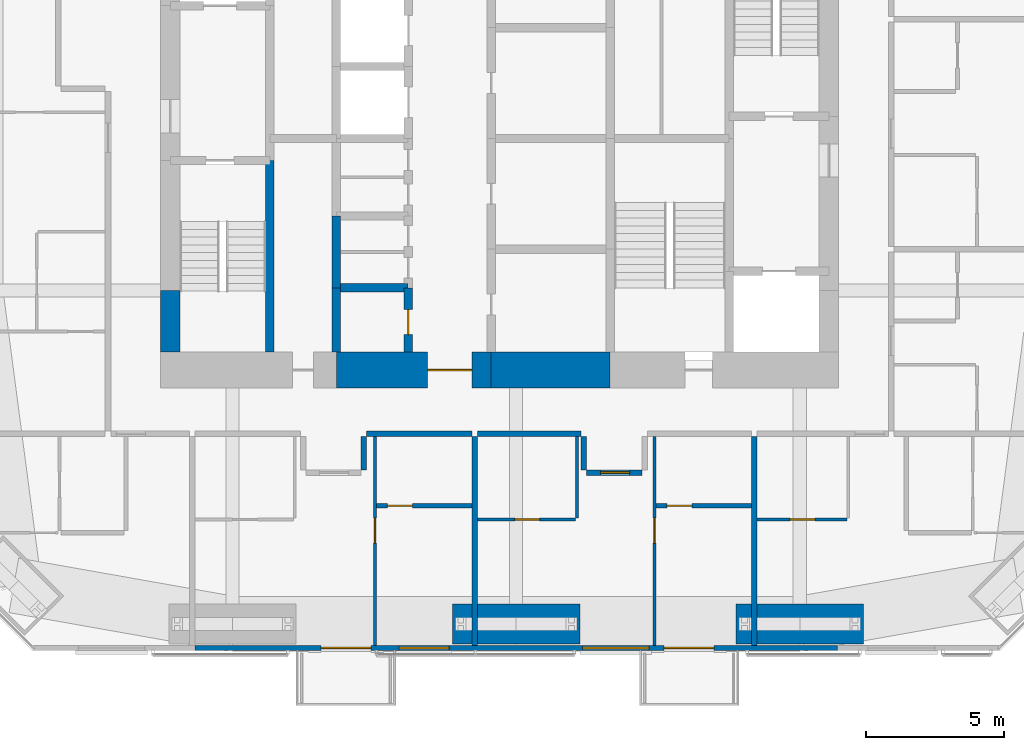
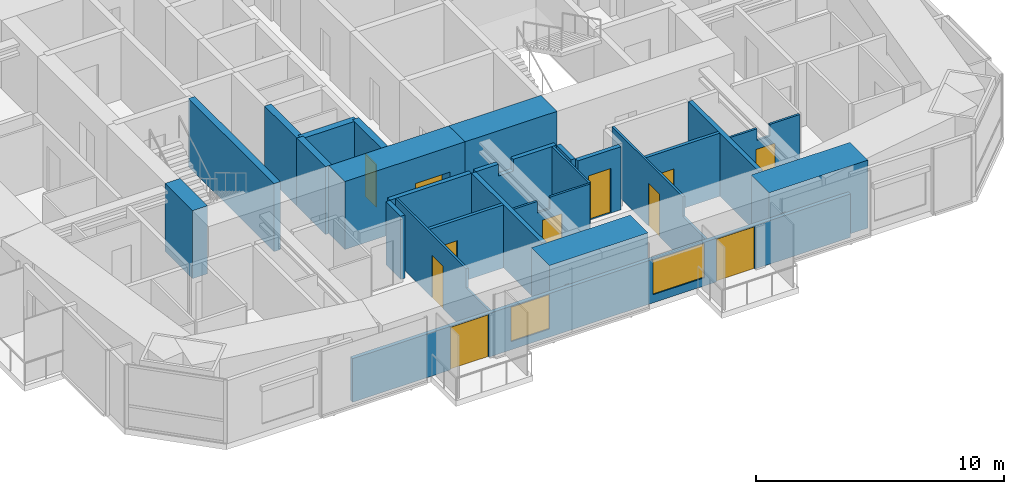
# One storey, part 16 of 22: 25 walls, 11 doors, 2 windows, 13 openings.
"""IFC4 building model written with IfcOpenShell, lengths in metres."""

from ifc_helpers import new_model, si_unit, direction, frame, frame_2d, origin, place, context, subcontext, project, spatial, polyline, rectangle, outline, extrude, material, layer, layer_set, constituent, constituent_set, type_object, element, fill, save


model = new_model("IFC4")

# Units and contexts
model_context = context("Model", 3, precision=1e-05, world=origin(), true_north=direction((0.0, 1.0)))
body_context = subcontext(model_context, "Body", "Model", "MODEL_VIEW")
ifc_project = project(units=[si_unit("LENGTHUNIT", "METRE"), si_unit("AREAUNIT", "SQUARE_METRE"), si_unit("VOLUMEUNIT", "CUBIC_METRE"), si_unit("PLANEANGLEUNIT", "RADIAN"), si_unit("MASSUNIT", "GRAM", prefix="KILO")], contexts=[model_context])

# Site, building, storey
site_placement = place(None, origin())
site = spatial("IfcSite", under=ifc_project, at=site_placement, CompositionType="ELEMENT")
building_placement = place(site_placement, origin())
building = spatial("IfcBuilding", under=site, at=building_placement, Name="Jalousie Tower", CompositionType="ELEMENT")
storey_placement = place(building_placement, frame((0.0, 0.0, 154.35009765625)))
storey = spatial("IfcBuildingStorey", under=building, at=storey_placement, Name="L41", CompositionType="ELEMENT", Elevation=154.35009765625)

# Wall, opening, door
ifc_material_1 = material(Name="Concrete block ASTM C90", Category="concrete")
ifc_constituent_1 = constituent(ifc_material_1, Name="Body")
ifc_material_2 = material(Name="Render")
ifc_constituent_2 = constituent(ifc_material_2, Name="Finish")
ifc_constituent_set_1 = constituent_set(constituents=[ifc_constituent_1, ifc_constituent_2])
wall_type_1 = type_object("IfcWallType", Name="BATHROOM WALL 150", PredefinedType="PLUMBINGWALL", material=ifc_constituent_set_1)
wall_1_placement = place(storey_placement, frame((27.449951171875, 5.22509765625, 0.0), z_axis=(0.0, 0.0, 1.0), x_axis=(1.0, 0.0, 0.0)))
wall_1 = element("IfcWall", 1, at=wall_1_placement, inside=storey, type_object=wall_type_1, Name="Bathroom Wall 150 L41", PredefinedType="PLUMBINGWALL", context=body_context, shape_type="SweptSolid", body=[
    extrude(rectangle(XDim=3.449951171875, YDim=0.14990234375, at=frame_2d((1.72509765625, 0.0))), origin(), (0.0, 0.0, 1.0), 3.10986328125),
])
opening_1_placement = place(wall_1_placement, frame((0.39990234375, 0.0, 0.0)))
opening_1 = element("IfcOpeningElement", 2, at=opening_1_placement, cuts=wall_1, Name="Opening D3", PredefinedType="OPENING", context=body_context, shape_type="SweptSolid", body=[
    extrude(rectangle(XDim=0.89990234375, YDim=2.10009765625, at=frame_2d((0.449951171875, 1.050048828125))), frame((0.0, 0.0849609375, 0.0), z_axis=(0.0, -1.0, 0.0), x_axis=(1.0, 0.0, 0.0)), (0.0, 0.0, 1.0), 0.169921875),
])
ifc_material_3 = material(Name="Timber door", Category="wood")
door_type_1 = type_object("IfcDoorType", Name="BATHROOM DOOR 900", OperationType="SINGLE_SWING_LEFT", PredefinedType="DOOR", material=ifc_material_3)
door_1_placement = place(opening_1_placement, origin())
door_1 = element("IfcDoor", 3, at=door_1_placement, inside=storey, type_object=door_type_1, Name="Apartment 4102 bedroom 1 bathroom door", OperationType="SINGLE_SWING_LEFT", OverallHeight=2.10009765625, OverallWidth=0.89990234375, PredefinedType="DOOR", context=body_context, shape_type="SweptSolid", body=[
    extrude(rectangle(XDim=0.89990234375, YDim=2.10009765625, at=frame_2d((0.449951171875, 1.050048828125))), frame((0.0, 0.02490234375, 0.0), z_axis=(0.0, -1.0, 0.0), x_axis=(1.0, 0.0, 0.0)), (0.0, 0.0, 1.0), 0.050048828125),
])
fill(opening_1, door_1)

wall_2_placement = place(storey_placement, frame((37.550048828125, 5.22509765625, 0.0), z_axis=(0.0, 0.0, 1.0), x_axis=(1.0, 0.0, 0.0)))
wall_2 = element("IfcWall", 4, at=wall_2_placement, inside=storey, type_object=wall_type_1, Name="Bathroom Wall 150 L41", PredefinedType="PLUMBINGWALL", context=body_context, shape_type="SweptSolid", body=[
    extrude(rectangle(XDim=3.449951171875, YDim=0.14990234375, at=frame_2d((1.72509765625, 0.0))), origin(), (0.0, 0.0, 1.0), 3.10986328125),
])
opening_2_placement = place(wall_2_placement, frame((0.39990234375, 0.0, 0.0)))
opening_2 = element("IfcOpeningElement", 5, at=opening_2_placement, cuts=wall_2, Name="Opening D3", PredefinedType="OPENING", context=body_context, shape_type="SweptSolid", body=[
    extrude(rectangle(XDim=0.89990234375, YDim=2.10009765625, at=frame_2d((0.449951171875, 1.050048828125))), frame((0.0, 0.0849609375, 0.0), z_axis=(0.0, -1.0, 0.0), x_axis=(1.0, 0.0, 0.0)), (0.0, 0.0, 1.0), 0.169921875),
])
door_2_placement = place(opening_2_placement, origin())
door_2 = element("IfcDoor", 6, at=door_2_placement, inside=storey, type_object=door_type_1, Name="Apartment 4103 bedroom 1 bathroom door", OperationType="SINGLE_SWING_LEFT", OverallHeight=2.10009765625, OverallWidth=0.89990234375, PredefinedType="DOOR", context=body_context, shape_type="SweptSolid", body=[
    extrude(rectangle(XDim=0.89990234375, YDim=2.10009765625, at=frame_2d((0.449951171875, 1.050048828125))), frame((0.0, 0.02490234375, 0.0), z_axis=(0.0, -1.0, 0.0), x_axis=(1.0, 0.0, 0.0)), (0.0, 0.0, 1.0), 0.050048828125),
])
fill(opening_2, door_2)

ifc_material_4 = material(Name="Concrete f'c 120 MPa", Category="concrete")
ifc_layer_1 = layer(ifc_material_4, 1.300048828125)
ifc_layer_set_1 = layer_set([ifc_layer_1], Name="Concrete f'c 120 MPa")
wall_type_2 = type_object("IfcWallType", Name="CORE WALL 1300", PredefinedType="SHEAR", material=ifc_layer_set_1)
wall_3_placement = place(storey_placement, frame((26.0, 10.125, 0.0), z_axis=(0.0, 0.0, 1.0), x_axis=(1.0, 0.0, 0.0)))
wall_3 = element("IfcWall", 7, at=wall_3_placement, inside=storey, type_object=wall_type_2, Name="Core wall SB L41", PredefinedType="SHEAR", context=body_context, shape_type="SweptSolid", body=[
    extrude(rectangle(XDim=5.60009765625, YDim=1.300048828125, at=frame_2d((2.800048828125, 0.0))), origin(), (0.0, 0.0, 1.0), 3.349853515625),
])
opening_3_placement = place(wall_3_placement, frame((3.300048828125, 0.0, 0.0)))
opening_3 = element("IfcOpeningElement", 8, at=opening_3_placement, cuts=wall_3, Name="Opening D15", PredefinedType="OPENING", context=body_context, shape_type="SweptSolid", body=[
    extrude(rectangle(XDim=1.60009765625, YDim=2.10009765625, at=frame_2d((0.800048828125, 1.050048828125))), frame((0.0, 0.659912109375, 0.0), z_axis=(0.0, -1.0, 0.0), x_axis=(1.0, 0.0, 0.0)), (0.0, 0.0, 1.0), 1.320068359375),
])
ifc_material_5 = material(Name="Steel fire door", Category="steel")
door_type_2 = type_object("IfcDoorType", Name="LIFT LOBBY DOOR 1600", OperationType="DOUBLE_DOOR_SINGLE_SWING", PredefinedType="DOOR", material=ifc_material_5)
door_3_placement = place(opening_3_placement, origin())
door_3 = element("IfcDoor", 9, at=door_3_placement, inside=storey, type_object=door_type_2, Name="Lift lobby south door", OperationType="DOUBLE_DOOR_SINGLE_SWING", OverallHeight=2.10009765625, OverallWidth=1.60009765625, PredefinedType="DOOR", context=body_context, shape_type="SweptSolid", body=[
    extrude(rectangle(XDim=1.60009765625, YDim=2.10009765625, at=frame_2d((0.800048828125, 1.050048828125))), frame((0.0, 0.02490234375, 0.0), z_axis=(0.0, -1.0, 0.0), x_axis=(1.0, 0.0, 0.0)), (0.0, 0.0, 1.0), 0.050048828125),
])
fill(opening_3, door_3)

# Walls
wall_4_placement = place(storey_placement, frame((31.60009765625, 10.125, 0.0), z_axis=(0.0, 0.0, 1.0), x_axis=(1.0, 0.0, 0.0)))
element("IfcWall", 10, at=wall_4_placement, inside=storey, type_object=wall_type_2, Name="Core wall SC L41", PredefinedType="SHEAR", context=body_context, shape_type="SweptSolid", body=[
    extrude(rectangle(XDim=4.2998046875, YDim=1.300048828125, at=frame_2d((2.14990234375, 0.0))), origin(), (0.0, 0.0, 1.0), 3.349853515625),
])
ifc_material_6 = material(Name="Concrete f'c 120 MPa", Category="concrete")
ifc_layer_2 = layer(ifc_material_6, 0.300048828125)
ifc_layer_set_2 = layer_set([ifc_layer_2], Name="Concrete f'c 120 MPa")
wall_type_3 = type_object("IfcWallType", Name="CORE WALL 300", PredefinedType="SHEAR", material=ifc_layer_set_2)
wall_5_placement = place(storey_placement, frame((23.60009765625, 10.77490234375, 0.0), z_axis=(0.0, 0.0, 1.0), x_axis=(0.0, 1.0, 0.0)))
element("IfcWall", 11, at=wall_5_placement, inside=storey, type_object=wall_type_3, Name="Core wall X23.6A L41", PredefinedType="SHEAR", context=body_context, shape_type="SweptSolid", body=[
    extrude(rectangle(XDim=6.925048828125, YDim=0.300048828125, at=frame_2d((3.46240234375, 0.0))), origin(), (0.0, 0.0, 1.0), 3.349853515625),
])
wall_6_placement = place(storey_placement, frame((26.0, 10.77490234375, 0.0), z_axis=(0.0, 0.0, 1.0), x_axis=(0.0, 1.0, 0.0)))
element("IfcWall", 12, at=wall_6_placement, inside=storey, type_object=wall_type_3, Name="Core wall X26A L41", PredefinedType="SHEAR", context=body_context, shape_type="SweptSolid", body=[
    extrude(rectangle(XDim=2.3251953125, YDim=0.300048828125, at=frame_2d((1.16259765625, 0.0))), origin(), (0.0, 0.0, 1.0), 3.349853515625),
])
wall_7_placement = place(storey_placement, frame((26.0, 13.10009765625, 0.0), z_axis=(0.0, 0.0, 1.0), x_axis=(0.0, 1.0, 0.0)))
element("IfcWall", 13, at=wall_7_placement, inside=storey, type_object=wall_type_3, Name="Core wall X26B L41", PredefinedType="SHEAR", context=body_context, shape_type="SweptSolid", body=[
    extrude(rectangle(XDim=2.599853515625, YDim=0.300048828125, at=frame_2d((1.2998046875, 0.0))), origin(), (0.0, 0.0, 1.0), 3.349853515625),
])

# Wall, opening, door
wall_8_placement = place(storey_placement, frame((28.60009765625, 10.77490234375, 0.0), z_axis=(0.0, 0.0, 1.0), x_axis=(0.0, 1.0, 0.0)))
wall_8 = element("IfcWall", 14, at=wall_8_placement, inside=storey, type_object=wall_type_3, Name="Core wall X28.6A L41", PredefinedType="SHEAR", context=body_context, shape_type="SweptSolid", body=[
    extrude(rectangle(XDim=2.3251953125, YDim=0.300048828125, at=frame_2d((1.16259765625, 0.0))), origin(), (0.0, 0.0, 1.0), 3.349853515625),
])
opening_4_placement = place(wall_8_placement, frame((0.637451171875, 0.0, 0.0)))
opening_4 = element("IfcOpeningElement", 15, at=opening_4_placement, cuts=wall_8, Name="Opening D24", PredefinedType="OPENING", context=body_context, shape_type="SweptSolid", body=[
    extrude(rectangle(XDim=0.89990234375, YDim=2.10009765625, at=frame_2d((0.449951171875, 1.050048828125))), frame((0.0, 0.159912109375, 0.0), z_axis=(0.0, -1.0, 0.0), x_axis=(1.0, 0.0, 0.0)), (0.0, 0.0, 1.0), 0.320068359375),
])
ifc_material_7 = material(Name="Steel fire door", Category="steel")
door_type_3 = type_object("IfcDoorType", Name="CORE ROOM DOOR 900", OperationType="SINGLE_SWING_LEFT", PredefinedType="DOOR", material=ifc_material_7)
door_4_placement = place(opening_4_placement, origin())
door_4 = element("IfcDoor", 16, at=door_4_placement, inside=storey, type_object=door_type_3, Name="Pantry door", OperationType="SINGLE_SWING_RIGHT", OverallHeight=2.10009765625, OverallWidth=0.89990234375, PredefinedType="DOOR", context=body_context, shape_type="SweptSolid", body=[
    extrude(rectangle(XDim=0.89990234375, YDim=2.10009765625, at=frame_2d((0.449951171875, 1.050048828125))), frame((0.0, 0.02490234375, 0.0), z_axis=(0.0, -1.0, 0.0), x_axis=(1.0, 0.0, 0.0)), (0.0, 0.0, 1.0), 0.050048828125),
])
fill(opening_4, door_4)

# Walls
wall_9_placement = place(storey_placement, frame((26.0, 13.10009765625, 0.0), z_axis=(0.0, 0.0, 1.0), x_axis=(1.0, 0.0, 0.0)))
element("IfcWall", 17, at=wall_9_placement, inside=storey, type_object=wall_type_3, Name="Core wall Y26-13.1 L41", PredefinedType="SHEAR", context=body_context, shape_type="SweptSolid", body=[
    extrude(rectangle(XDim=2.60009765625, YDim=0.300048828125, at=frame_2d((1.300048828125, 0.0))), origin(), (0.0, 0.0, 1.0), 3.349853515625),
])
ifc_material_8 = material(Name="Concrete f'c 120 MPa", Category="concrete")
ifc_layer_3 = layer(ifc_material_8, 0.699951171875)
ifc_layer_set_3 = layer_set([ifc_layer_3], Name="Concrete f'c 120 MPa")
wall_type_4 = type_object("IfcWallType", Name="CORE WALL 700", PredefinedType="SHEAR", material=ifc_layer_set_3)
wall_10_placement = place(storey_placement, frame((20.0, 13.0, 0.0), z_axis=(0.0, 0.0, 1.0), x_axis=(0.0, -1.0, 0.0)))
element("IfcWall", 18, at=wall_10_placement, inside=storey, type_object=wall_type_4, Name="Core wall WD L41", PredefinedType="SHEAR", context=body_context, shape_type="SweptSolid", body=[
    extrude(rectangle(XDim=2.22509765625, YDim=0.699951171875, at=frame_2d((1.112548828125, 0.0))), origin(), (0.0, 0.0, 1.0), 3.349853515625),
])
ifc_material_9 = material(Name="Concrete block ASTM C90", Category="concrete")
ifc_constituent_3 = constituent(ifc_material_9, Name="Body")
ifc_material_10 = material(Name="Render")
ifc_constituent_4 = constituent(ifc_material_10, Name="Finish")
ifc_constituent_set_2 = constituent_set(constituents=[ifc_constituent_3, ifc_constituent_4])
wall_type_5 = type_object("IfcWallType", Name="CORRIDOR WALL 200", PredefinedType="PARTITIONING", material=ifc_constituent_set_2)
wall_11_placement = place(storey_placement, frame((31.10009765625, 7.824951171875, 0.0), z_axis=(0.0, 0.0, 1.0), x_axis=(1.0, 0.0, 0.0)))
element("IfcWall", 19, at=wall_11_placement, inside=storey, type_object=wall_type_5, Name="Corridor Wall 200 L41", PredefinedType="PARTITIONING", context=body_context, shape_type="SweptSolid", body=[
    extrude(outline(polyline([(0.0, 0.0), (3.75, 0.0), (3.75, 3.10986328125), (1.74609375, 3.10986328125), (1.74609375, 2.531005859375), (1.0537109375, 2.531005859375), (1.0537109375, 3.10986328125), (0.0, 3.10986328125), (0.0, 0.0)])), frame((0.0, 0.10009765625, 0.0), z_axis=(0.0, -1.0, 0.0), x_axis=(1.0, 0.0, 0.0)), (0.0, 0.0, 1.0), 0.199951171875),
])
wall_12_placement = place(storey_placement, frame((27.10009765625, 7.824951171875, 0.0), z_axis=(0.0, 0.0, 1.0), x_axis=(1.0, 0.0, 0.0)))
element("IfcWall", 20, at=wall_12_placement, inside=storey, type_object=wall_type_5, Name="Corridor Wall 200 L41", PredefinedType="PARTITIONING", context=body_context, shape_type="SweptSolid", body=[
    extrude(rectangle(XDim=3.7998046875, YDim=0.199951171875, at=frame_2d((1.89990234375, 0.0))), origin(), (0.0, 0.0, 1.0), 3.10986328125),
])
wall_13_placement = place(storey_placement, frame((27.0, 7.72509765625, 0.0), z_axis=(0.0, 0.0, 1.0), x_axis=(0.0, -1.0, 0.0)))
element("IfcWall", 21, at=wall_13_placement, inside=storey, type_object=wall_type_5, Name="Corridor Wall 200 L41", PredefinedType="PARTITIONING", context=body_context, shape_type="SweptSolid", body=[
    extrude(rectangle(XDim=1.2001953125, YDim=0.199951171875, at=frame_2d((0.60009765625, 0.0))), origin(), (0.0, 0.0, 1.0), 3.10986328125),
])

# Wall, opening, door
wall_14_placement = place(storey_placement, frame((35.050048828125, 6.425048828125, 0.0), z_axis=(0.0, 0.0, 1.0), x_axis=(1.0, 0.0, 0.0)))
wall_14 = element("IfcWall", 22, at=wall_14_placement, inside=storey, type_object=wall_type_5, Name="Corridor Wall 200 L41", PredefinedType="PARTITIONING", context=body_context, shape_type="SweptSolid", body=[
    extrude(rectangle(XDim=2.0, YDim=0.199951171875, at=frame_2d((1.0, 0.0))), origin(), (0.0, 0.0, 1.0), 3.10986328125),
])
opening_5_placement = place(wall_14_placement, frame((0.5, 0.0, 0.0)))
opening_5 = element("IfcOpeningElement", 23, at=opening_5_placement, cuts=wall_14, Name="Opening D1", PredefinedType="OPENING", context=body_context, shape_type="SweptSolid", body=[
    extrude(rectangle(XDim=1.050048828125, YDim=2.199951171875, at=frame_2d((0.52490234375, 1.10009765625))), frame((0.0, 0.10986328125, 0.0), z_axis=(0.0, -1.0, 0.0), x_axis=(1.0, 0.0, 0.0)), (0.0, 0.0, 1.0), 0.219970703125),
])
ifc_material_11 = material(Name="Timber fire door", Category="wood")
door_type_4 = type_object("IfcDoorType", Name="APARTMENT ENTRANCE DOOR 1050", OperationType="SINGLE_SWING_LEFT", PredefinedType="DOOR", material=ifc_material_11)
door_5_placement = place(opening_5_placement, frame((1.050048828125, 0.0, 0.0), z_axis=(0.0, 0.0, 1.0), x_axis=(-1.0, 0.0, 0.0)))
door_5 = element("IfcDoor", 24, at=door_5_placement, inside=storey, type_object=door_type_4, Name="Apartment 4103 entrance", OperationType="SINGLE_SWING_RIGHT", OverallHeight=2.199951171875, OverallWidth=1.050048828125, PredefinedType="DOOR", context=body_context, shape_type="SweptSolid", body=[
    extrude(rectangle(XDim=1.050048828125, YDim=2.199951171875, at=frame_2d((0.52490234375, 1.10009765625))), frame((0.0, 0.02490234375, 0.0), z_axis=(0.0, -1.0, 0.0), x_axis=(1.0, 0.0, 0.0)), (0.0, 0.0, 1.0), 0.050048828125),
])
fill(opening_5, door_5)

# Wall
wall_15_placement = place(storey_placement, frame((34.949951171875, 7.72509765625, 0.0), z_axis=(0.0, 0.0, 1.0), x_axis=(0.0, -1.0, 0.0)))
element("IfcWall", 25, at=wall_15_placement, inside=storey, type_object=wall_type_5, Name="Corridor Wall 200 L41", PredefinedType="PARTITIONING", context=body_context, shape_type="SweptSolid", body=[
    extrude(rectangle(XDim=1.2001953125, YDim=0.199951171875, at=frame_2d((0.60009765625, 0.0))), origin(), (0.0, 0.0, 1.0), 3.10986328125),
])

# Wall, openings, doors, windows
ifc_material_12 = material(Name="Concrete f'c 40 MPa", Category="concrete")
ifc_constituent_5 = constituent(ifc_material_12, Name="Body")
ifc_material_13 = material(Name="Render, pastel lemon")
ifc_constituent_6 = constituent(ifc_material_13, Name="Finish")
ifc_constituent_set_3 = constituent_set(constituents=[ifc_constituent_5, ifc_constituent_6])
wall_type_6 = type_object("IfcWallType", Name="EXTERNAL WALL 175 LEMON RENDER", PredefinedType="SOLIDWALL", material=ifc_constituent_set_3)
wall_16_placement = place(storey_placement, frame((20.890869140625, 0.08740234375, 0.0), z_axis=(0.0, 0.0, 1.0), x_axis=(1.0, 0.0, 0.0)))
wall_16 = element("IfcWall", 26, at=wall_16_placement, inside=storey, type_object=wall_type_6, Name="External Wall 175 Lemon Render L41-B", PredefinedType="SOLIDWALL", context=body_context, shape_type="SweptSolid", body=[
    extrude(rectangle(XDim=23.21826171875, YDim=0.175048828125, at=frame_2d((11.609130859375, 0.0))), origin(), (0.0, 0.0, 1.0), 2.14990234375),
])
opening_6_placement = place(wall_16_placement, frame((4.55908203125, 0.0, 0.0)))
opening_6 = element("IfcOpeningElement", 27, at=opening_6_placement, cuts=wall_16, Name="Opening D-BAL21", PredefinedType="OPENING", context=body_context, shape_type="SweptSolid", body=[
    extrude(rectangle(XDim=1.800048828125, YDim=2.10009765625, at=frame_2d((0.89990234375, 1.050048828125))), frame((0.0, 0.097412109375, 0.0), z_axis=(0.0, -1.0, 0.0), x_axis=(1.0, 0.0, 0.0)), (0.0, 0.0, 1.0), 0.195068359375),
])
opening_7_placement = place(wall_16_placement, frame((7.384033203125, 0.0, 0.39990234375)))
opening_7 = element("IfcOpeningElement", 28, at=opening_7_placement, cuts=wall_16, Name="Opening W-BED170", PredefinedType="OPENING", context=body_context, shape_type="SweptSolid", body=[
    extrude(rectangle(XDim=1.800048828125, YDim=1.699951171875, at=frame_2d((0.89990234375, 0.85009765625))), frame((0.0, 0.097412109375, 0.0), z_axis=(0.0, -1.0, 0.0), x_axis=(1.0, 0.0, 0.0)), (0.0, 0.0, 1.0), 0.195068359375),
])
opening_8_placement = place(wall_16_placement, frame((14.009033203125, 0.0, 0.39990234375)))
opening_8 = element("IfcOpeningElement", 29, at=opening_8_placement, cuts=wall_16, Name="Opening W-LIV170", PredefinedType="OPENING", context=body_context, shape_type="SweptSolid", body=[
    extrude(rectangle(XDim=2.39990234375, YDim=1.699951171875, at=frame_2d((1.199951171875, 0.85009765625))), frame((0.0, 0.097412109375, 0.0), z_axis=(0.0, -1.0, 0.0), x_axis=(1.0, 0.0, 0.0)), (0.0, 0.0, 1.0), 0.195068359375),
])
opening_9_placement = place(wall_16_placement, frame((16.958984375, 0.0, 0.0)))
opening_9 = element("IfcOpeningElement", 30, at=opening_9_placement, cuts=wall_16, Name="Opening D-BAL21", PredefinedType="OPENING", context=body_context, shape_type="SweptSolid", body=[
    extrude(rectangle(XDim=1.800048828125, YDim=2.10009765625, at=frame_2d((0.89990234375, 1.050048828125))), frame((0.0, 0.097412109375, 0.0), z_axis=(0.0, -1.0, 0.0), x_axis=(1.0, 0.0, 0.0)), (0.0, 0.0, 1.0), 0.195068359375),
])
ifc_material_14 = material(Name="Aluminium frame, impact-rated glazing", Category="aluminium")
door_type_5 = type_object("IfcDoorType", Name="BALCONY DOOR 1800x2100", OperationType="SLIDING_TO_LEFT", PredefinedType="DOOR", material=ifc_material_14)
door_6_placement = place(opening_6_placement, origin())
door_6 = element("IfcDoor", 31, at=door_6_placement, inside=storey, type_object=door_type_5, Name="Apartment 4102 living and dining room balcony door", OperationType="SLIDING_TO_LEFT", OverallHeight=2.10009765625, OverallWidth=1.800048828125, PredefinedType="DOOR", context=body_context, shape_type="SweptSolid", body=[
    extrude(rectangle(XDim=1.800048828125, YDim=2.10009765625, at=frame_2d((0.89990234375, 1.050048828125))), frame((0.0, 0.02490234375, 0.0), z_axis=(0.0, -1.0, 0.0), x_axis=(1.0, 0.0, 0.0)), (0.0, 0.0, 1.0), 0.050048828125),
])
fill(opening_6, door_6)
door_7_placement = place(opening_9_placement, origin())
door_7 = element("IfcDoor", 32, at=door_7_placement, inside=storey, type_object=door_type_5, Name="Apartment 4103 bedroom 1 balcony door", OperationType="SLIDING_TO_LEFT", OverallHeight=2.10009765625, OverallWidth=1.800048828125, PredefinedType="DOOR", context=body_context, shape_type="SweptSolid", body=[
    extrude(rectangle(XDim=1.800048828125, YDim=2.10009765625, at=frame_2d((0.89990234375, 1.050048828125))), frame((0.0, 0.02490234375, 0.0), z_axis=(0.0, -1.0, 0.0), x_axis=(1.0, 0.0, 0.0)), (0.0, 0.0, 1.0), 0.050048828125),
])
fill(opening_9, door_7)
ifc_material_15 = material(Name="Aluminium frame, impact-rated glazing", Category="aluminium")
window_type_1 = type_object("IfcWindowType", Name="WINDOW BED 1800x1700", PartitioningType="SINGLE_PANEL", PredefinedType="WINDOW", material=ifc_material_15)
window_1_placement = place(opening_7_placement, origin())
window_1 = element("IfcWindow", 33, at=window_1_placement, inside=storey, type_object=window_type_1, Name="Apartment 4102 bedroom 1 window", OverallHeight=1.699951171875, OverallWidth=1.800048828125, PartitioningType="SINGLE_PANEL", PredefinedType="WINDOW", context=body_context, shape_type="SweptSolid", body=[
    extrude(rectangle(XDim=1.800048828125, YDim=1.699951171875, at=frame_2d((0.89990234375, 0.85009765625))), frame((0.0, 0.030029296875, 0.0), z_axis=(0.0, -1.0, 0.0), x_axis=(1.0, 0.0, 0.0)), (0.0, 0.0, 1.0), 0.06005859375),
])
fill(opening_7, window_1)
ifc_material_16 = material(Name="Aluminium frame, impact-rated glazing", Category="aluminium")
window_type_2 = type_object("IfcWindowType", Name="WINDOW LIV 2400x1700", PartitioningType="DOUBLE_PANEL_VERTICAL", PredefinedType="WINDOW", material=ifc_material_16)
window_2_placement = place(opening_8_placement, origin())
window_2 = element("IfcWindow", 34, at=window_2_placement, inside=storey, type_object=window_type_2, Name="Apartment 4103 living and dining room window", OverallHeight=1.699951171875, OverallWidth=2.39990234375, PartitioningType="SINGLE_PANEL", PredefinedType="WINDOW", context=body_context, shape_type="SweptSolid", body=[
    extrude(rectangle(XDim=2.39990234375, YDim=1.699951171875, at=frame_2d((1.199951171875, 0.85009765625))), frame((0.0, 0.030029296875, 0.0), z_axis=(0.0, -1.0, 0.0), x_axis=(1.0, 0.0, 0.0)), (0.0, 0.0, 1.0), 0.06005859375),
])
fill(opening_8, window_2)

# Wall, opening, door
ifc_material_17 = material(Name="Gypsum board", Category="gypsum")
ifc_constituent_7 = constituent(ifc_material_17, Name="Body")
ifc_material_18 = material(Name="Light-gauge steel studs ASTM A653 SS Grade 33", Category="steel")
ifc_constituent_8 = constituent(ifc_material_18, Name="Framing")
ifc_constituent_set_4 = constituent_set(constituents=[ifc_constituent_7, ifc_constituent_8])
wall_type_7 = type_object("IfcWallType", Name="PARTITION 100", PredefinedType="PARTITIONING", material=ifc_constituent_set_4)
wall_17_placement = place(storey_placement, frame((27.39990234375, 0.175048828125, 0.0), z_axis=(0.0, 0.0, 1.0), x_axis=(0.0, 1.0, 0.0)))
wall_17 = element("IfcWall", 35, at=wall_17_placement, inside=storey, type_object=wall_type_7, Name="Partition 100 L41", PredefinedType="PARTITIONING", context=body_context, shape_type="SweptSolid", body=[
    extrude(outline(polyline([(0.0, 0.0), (7.550048828125, 0.0), (7.550048828125, 3.10986328125), (1.8349609375, 3.10986328125), (1.8349609375, 2.14990234375), (0.0, 2.14990234375), (0.0, 3.10986328125), (0.0, 0.0)])), frame((0.0, 0.050048828125, 0.0), z_axis=(0.0, -1.0, 0.0), x_axis=(1.0, 0.0, 0.0)), (0.0, 0.0, 1.0), 0.10009765625),
])
opening_10_placement = place(wall_17_placement, frame((3.699951171875, 0.0, 0.0)))
opening_10 = element("IfcOpeningElement", 36, at=opening_10_placement, cuts=wall_17, Name="Opening D2", PredefinedType="OPENING", context=body_context, shape_type="SweptSolid", body=[
    extrude(rectangle(XDim=0.89990234375, YDim=2.10009765625, at=frame_2d((0.449951171875, 1.050048828125))), frame((0.0, 0.06005859375, 0.0), z_axis=(0.0, -1.0, 0.0), x_axis=(1.0, 0.0, 0.0)), (0.0, 0.0, 1.0), 0.1201171875),
])
ifc_material_19 = material(Name="Timber door", Category="wood")
door_type_6 = type_object("IfcDoorType", Name="BEDROOM DOOR 900", OperationType="SINGLE_SWING_LEFT", PredefinedType="DOOR", material=ifc_material_19)
door_8_placement = place(opening_10_placement, frame((0.89990234375, 0.0, 0.0), z_axis=(0.0, 0.0, 1.0), x_axis=(-1.0, 0.0, 0.0)))
door_8 = element("IfcDoor", 37, at=door_8_placement, inside=storey, type_object=door_type_6, Name="Apartment 4102 bedroom 1 door", OperationType="SINGLE_SWING_LEFT", OverallHeight=2.10009765625, OverallWidth=0.89990234375, PredefinedType="DOOR", context=body_context, shape_type="SweptSolid", body=[
    extrude(rectangle(XDim=0.89990234375, YDim=2.10009765625, at=frame_2d((0.449951171875, 1.050048828125))), frame((0.0, 0.02490234375, 0.0), z_axis=(0.0, -1.0, 0.0), x_axis=(1.0, 0.0, 0.0)), (0.0, 0.0, 1.0), 0.050048828125),
])
fill(opening_10, door_8)

wall_18_placement = place(storey_placement, frame((37.5, 0.175048828125, 0.0), z_axis=(0.0, 0.0, 1.0), x_axis=(0.0, 1.0, 0.0)))
wall_18 = element("IfcWall", 38, at=wall_18_placement, inside=storey, type_object=wall_type_7, Name="Partition 100 L41", PredefinedType="PARTITIONING", context=body_context, shape_type="SweptSolid", body=[
    extrude(outline(polyline([(0.0, 0.0), (7.550048828125, 0.0), (7.550048828125, 3.10986328125), (1.8349609375, 3.10986328125), (1.8349609375, 2.14990234375), (0.0, 2.14990234375), (0.0, 3.10986328125), (0.0, 0.0)])), frame((0.0, 0.050048828125, 0.0), z_axis=(0.0, -1.0, 0.0), x_axis=(1.0, 0.0, 0.0)), (0.0, 0.0, 1.0), 0.10009765625),
])
opening_11_placement = place(wall_18_placement, frame((3.699951171875, 0.0, 0.0)))
opening_11 = element("IfcOpeningElement", 39, at=opening_11_placement, cuts=wall_18, Name="Opening D2", PredefinedType="OPENING", context=body_context, shape_type="SweptSolid", body=[
    extrude(rectangle(XDim=0.89990234375, YDim=2.10009765625, at=frame_2d((0.449951171875, 1.050048828125))), frame((0.0, 0.06005859375, 0.0), z_axis=(0.0, -1.0, 0.0), x_axis=(1.0, 0.0, 0.0)), (0.0, 0.0, 1.0), 0.1201171875),
])
door_9_placement = place(opening_11_placement, frame((0.89990234375, 0.0, 0.0), z_axis=(0.0, 0.0, 1.0), x_axis=(-1.0, 0.0, 0.0)))
door_9 = element("IfcDoor", 40, at=door_9_placement, inside=storey, type_object=door_type_6, Name="Apartment 4103 bedroom 1 door", OperationType="SINGLE_SWING_LEFT", OverallHeight=2.10009765625, OverallWidth=0.89990234375, PredefinedType="DOOR", context=body_context, shape_type="SweptSolid", body=[
    extrude(rectangle(XDim=0.89990234375, YDim=2.10009765625, at=frame_2d((0.449951171875, 1.050048828125))), frame((0.0, 0.02490234375, 0.0), z_axis=(0.0, -1.0, 0.0), x_axis=(1.0, 0.0, 0.0)), (0.0, 0.0, 1.0), 0.050048828125),
])
fill(opening_11, door_9)

wall_19_placement = place(storey_placement, frame((31.10009765625, 4.72509765625, 0.0), z_axis=(0.0, 0.0, 1.0), x_axis=(1.0, 0.0, 0.0)))
wall_19 = element("IfcWall", 41, at=wall_19_placement, inside=storey, type_object=wall_type_7, Name="Partition 100 L41", PredefinedType="PARTITIONING", context=body_context, shape_type="SweptSolid", body=[
    extrude(outline(polyline([(0.0, 0.0), (3.5498046875, 0.0), (3.550048828125, 3.10986328125), (1.6962890625, 3.10986328125), (1.6962890625, 2.531005859375), (1.103759765625, 2.531005859375), (1.103759765625, 3.10986328125), (0.0, 3.10986328125), (0.0, 0.0)])), frame((0.0, 0.050048828125, 0.0), z_axis=(0.0, -1.0, 0.0), x_axis=(1.0, 0.0, 0.0)), (0.0, 0.0, 1.0), 0.10009765625),
])
opening_12_placement = place(wall_19_placement, frame((1.35009765625, 0.0, 0.0)))
opening_12 = element("IfcOpeningElement", 42, at=opening_12_placement, cuts=wall_19, Name="Opening D7", PredefinedType="OPENING", context=body_context, shape_type="SweptSolid", body=[
    extrude(rectangle(XDim=0.89990234375, YDim=2.10009765625, at=frame_2d((0.449951171875, 1.050048828125))), frame((0.0, 0.06005859375, 0.0), z_axis=(0.0, -1.0, 0.0), x_axis=(1.0, 0.0, 0.0)), (0.0, 0.0, 1.0), 0.1201171875),
])
ifc_material_20 = material(Name="Timber door", Category="wood")
door_type_7 = type_object("IfcDoorType", Name="INTERNAL DOOR 900", OperationType="SINGLE_SWING_LEFT", PredefinedType="DOOR", material=ifc_material_20)
door_10_placement = place(opening_12_placement, frame((0.89990234375, 0.0, 0.0), z_axis=(0.0, 0.0, 1.0), x_axis=(-1.0, 0.0, 0.0)))
door_10 = element("IfcDoor", 43, at=door_10_placement, inside=storey, type_object=door_type_7, Name="Apartment 4103 kitchen door", OperationType="SINGLE_SWING_RIGHT", OverallHeight=2.10009765625, OverallWidth=0.89990234375, PredefinedType="DOOR", context=body_context, shape_type="SweptSolid", body=[
    extrude(rectangle(XDim=0.89990234375, YDim=2.10009765625, at=frame_2d((0.449951171875, 1.050048828125))), frame((0.0, 0.02490234375, 0.0), z_axis=(0.0, -1.0, 0.0), x_axis=(1.0, 0.0, 0.0)), (0.0, 0.0, 1.0), 0.050048828125),
])
fill(opening_12, door_10)

# Wall
wall_20_placement = place(storey_placement, frame((34.699951171875, 4.77490234375, 0.0), z_axis=(0.0, 0.0, 1.0), x_axis=(0.0, 1.0, 0.0)))
element("IfcWall", 44, at=wall_20_placement, inside=storey, type_object=wall_type_7, Name="Partition 100 L41", PredefinedType="PARTITIONING", context=body_context, shape_type="SweptSolid", body=[
    extrude(rectangle(XDim=2.9501953125, YDim=0.10009765625, at=frame_2d((1.47509765625, 0.0))), origin(), (0.0, 0.0, 1.0), 3.10986328125),
])

# Wall, opening, door
wall_21_placement = place(storey_placement, frame((41.199951171875, 4.72509765625, 0.0), z_axis=(0.0, 0.0, 1.0), x_axis=(1.0, 0.0, 0.0)))
wall_21 = element("IfcWall", 45, at=wall_21_placement, inside=storey, type_object=wall_type_7, Name="Partition 100 L41", PredefinedType="PARTITIONING", context=body_context, shape_type="SweptSolid", body=[
    extrude(outline(polyline([(0.0, 0.0), (3.25, 0.0), (3.25, 3.10986328125), (1.84619140625, 3.10986328125), (1.84619140625, 2.531005859375), (1.25390625, 2.531005859375), (1.25390625, 3.10986328125), (0.0, 3.10986328125), (0.0, 0.0)])), frame((0.0, 0.050048828125, 0.0), z_axis=(0.0, -1.0, 0.0), x_axis=(1.0, 0.0, 0.0)), (0.0, 0.0, 1.0), 0.10009765625),
])
opening_13_placement = place(wall_21_placement, frame((1.199951171875, 0.0, 0.0)))
opening_13 = element("IfcOpeningElement", 46, at=opening_13_placement, cuts=wall_21, Name="Opening D7", PredefinedType="OPENING", context=body_context, shape_type="SweptSolid", body=[
    extrude(rectangle(XDim=0.89990234375, YDim=2.10009765625, at=frame_2d((0.449951171875, 1.050048828125))), frame((0.0, 0.06005859375, 0.0), z_axis=(0.0, -1.0, 0.0), x_axis=(1.0, 0.0, 0.0)), (0.0, 0.0, 1.0), 0.1201171875),
])
door_11_placement = place(opening_13_placement, frame((0.89990234375, 0.0, 0.0), z_axis=(0.0, 0.0, 1.0), x_axis=(-1.0, 0.0, 0.0)))
door_11 = element("IfcDoor", 47, at=door_11_placement, inside=storey, type_object=door_type_7, Name="Apartment 4104 kitchen door", OperationType="SINGLE_SWING_RIGHT", OverallHeight=2.10009765625, OverallWidth=0.89990234375, PredefinedType="DOOR", context=body_context, shape_type="SweptSolid", body=[
    extrude(rectangle(XDim=0.89990234375, YDim=2.10009765625, at=frame_2d((0.449951171875, 1.050048828125))), frame((0.0, 0.02490234375, 0.0), z_axis=(0.0, -1.0, 0.0), x_axis=(1.0, 0.0, 0.0)), (0.0, 0.0, 1.0), 0.050048828125),
])
fill(opening_13, door_11)

# Walls
ifc_material_21 = material(Name="Concrete block ASTM C90", Category="concrete")
ifc_constituent_9 = constituent(ifc_material_21, Name="Body")
ifc_material_22 = material(Name="Render")
ifc_constituent_10 = constituent(ifc_material_22, Name="Finish")
ifc_constituent_set_5 = constituent_set(constituents=[ifc_constituent_9, ifc_constituent_10])
wall_type_8 = type_object("IfcWallType", Name="PARTY WALL 200", PredefinedType="PARTITIONING", material=ifc_constituent_set_5)
wall_22_placement = place(storey_placement, frame((31.0, 0.175048828125, 0.0), z_axis=(0.0, 0.0, 1.0), x_axis=(0.0, 1.0, 0.0)))
element("IfcWall", 48, at=wall_22_placement, inside=storey, type_object=wall_type_8, Name="Party Wall 200 L41", PredefinedType="PARTITIONING", context=body_context, shape_type="SweptSolid", body=[
    extrude(outline(polyline([(0.52880859375, 2.14990234375), (0.0, 2.14990234375), (0.0, 0.0), (0.52880859375, 0.0), (0.52880859375, 0.169677734375), (1.021240234375, 0.169677734375), (1.021240234375, 0.0), (7.550048828125, 0.0), (7.550048828125, 3.10986328125), (1.885009765625, 3.10986328125), (1.885009765625, 2.14990234375), (1.021240234375, 2.14990234375), (1.021240234375, 1.830322265625), (0.52880859375, 1.830322265625), (0.52880859375, 2.14990234375)])), frame((0.0, 0.10009765625, 0.0), z_axis=(0.0, -1.0, 0.0), x_axis=(1.0, 0.0, 0.0)), (0.0, 0.0, 1.0), 0.199951171875),
])
wall_23_placement = place(storey_placement, frame((41.10009765625, 0.175048828125, 0.0), z_axis=(0.0, 0.0, 1.0), x_axis=(0.0, 1.0, 0.0)))
element("IfcWall", 49, at=wall_23_placement, inside=storey, type_object=wall_type_8, Name="Party Wall 200 L41", PredefinedType="PARTITIONING", context=body_context, shape_type="SweptSolid", body=[
    extrude(outline(polyline([(0.52880859375, 2.14990234375), (0.0, 2.14990234375), (0.0, 0.0), (0.52880859375, 0.0), (0.52880859375, 0.038330078125), (1.021240234375, 0.038330078125), (1.021240234375, 0.0), (7.550048828125, 0.0), (7.550048828125, 3.10986328125), (1.885009765625, 3.10986328125), (1.885009765625, 2.14990234375), (1.021240234375, 2.14990234375), (1.021240234375, 1.96142578125), (0.52880859375, 1.96142578125), (0.52880859375, 2.14990234375)])), frame((0.0, 0.10009765625, 0.0), z_axis=(0.0, -1.0, 0.0), x_axis=(1.0, 0.0, 0.0)), (0.0, 0.0, 1.0), 0.199951171875),
])
ifc_material_23 = material(Name="Concrete f'c 120 MPa", Category="concrete")
ifc_layer_4 = layer(ifc_material_23, 1.449951171875)
ifc_layer_set_4 = layer_set([ifc_layer_4], Name="Concrete f'c 120 MPa")
wall_type_9 = type_object("IfcWallType", Name="RC WALL PIER 1450", PredefinedType="SHEAR", material=ifc_layer_set_4)
for number, where, z_axis, x_axis, name in (
    (50, (30.199951171875, 0.949951171875, 0.0), (0.0, 0.0, 1.0), (1.0, 0.0, 0.0), "Wall pier 03 L41"),
    (51, (40.449951171875, 0.949951171875, 0.0), (0.0, 0.0, 1.0), (1.0, 0.0, 0.0), "Wall pier 04 L41"),
):
    element("IfcWall", number, at=place(storey_placement, frame(where, z_axis=z_axis, x_axis=x_axis)), inside=storey, type_object=wall_type_9, Name=name, PredefinedType="SHEAR", context=body_context, shape_type="SweptSolid", body=[
        extrude(rectangle(XDim=4.60009765625, YDim=1.449951171875, at=frame_2d((2.300048828125, 0.0))), origin(), (0.0, 0.0, 1.0), 3.349853515625),
    ])

save(model, "model.ifc")
